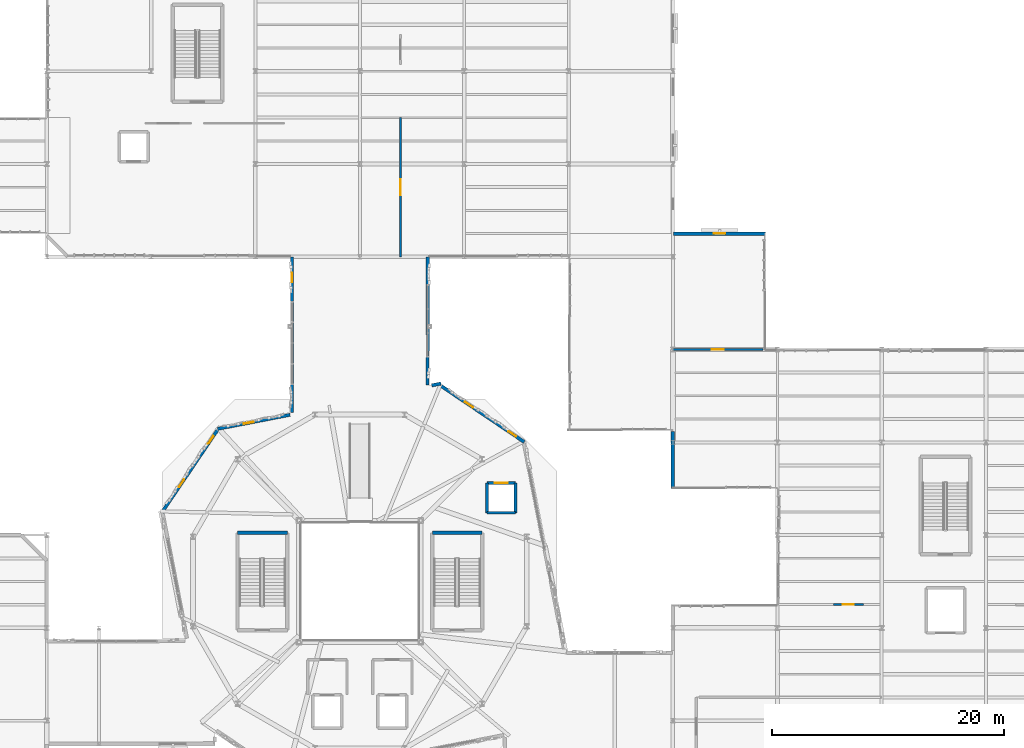
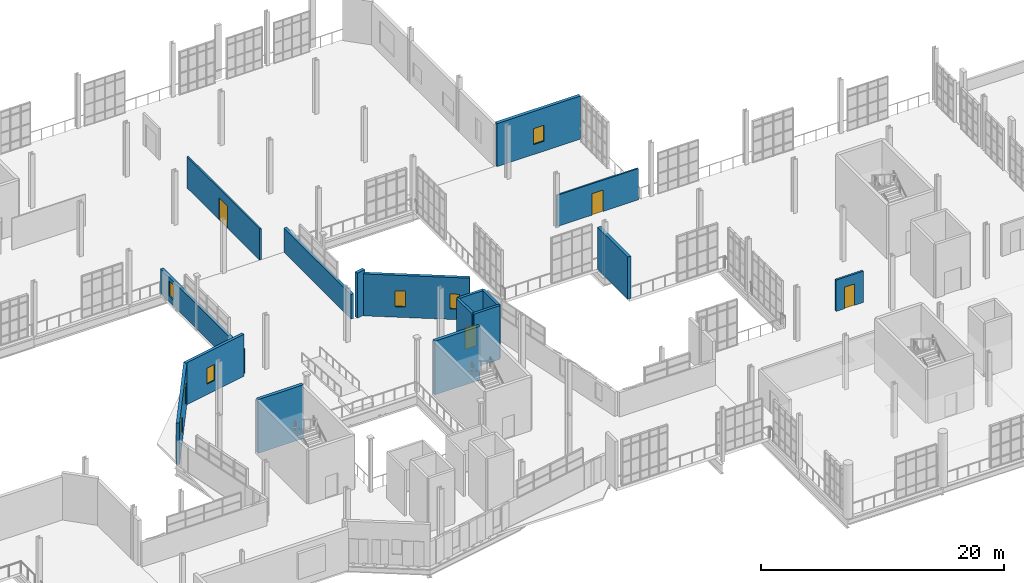
# One storey, part 124 of 142: 17 walls, 7 windows, 4 doors, 11 openings.
"""IFC4 building model written with IfcOpenShell, lengths in metres."""

from ifc_helpers import new_model, si_unit, direction, frame, frame_2d, origin, place, context, subcontext, project, spatial, rectangle, extrude, material, layer, layer_set, type_object, element, fill, save


model = new_model("IFC4")

# Units and contexts
model_context = context("Model", 3, precision=1e-05, world=origin(), true_north=direction((0.0, 1.0)))
body_context = subcontext(model_context, "Body", "Model", "MODEL_VIEW")
ifc_project = project(units=[si_unit("LENGTHUNIT", "METRE"), si_unit("AREAUNIT", "SQUARE_METRE"), si_unit("VOLUMEUNIT", "CUBIC_METRE"), si_unit("PLANEANGLEUNIT", "RADIAN"), si_unit("MASSUNIT", "GRAM", prefix="KILO"), si_unit("THERMODYNAMICTEMPERATUREUNIT", "KELVIN"), si_unit("POWERUNIT", "WATT")], contexts=[model_context])

# Site, building, storey
site_placement = place(None, origin())
site = spatial("IfcSite", under=ifc_project, at=site_placement, CompositionType="ELEMENT")
building_placement = place(site_placement, origin())
building = spatial("IfcBuilding", under=site, at=building_placement, Name="Zelmaris Science Centre", CompositionType="ELEMENT")
storey_placement = place(building_placement, frame((0.0, 0.0, 5.39990234375)))
storey = spatial("IfcBuildingStorey", under=building, at=storey_placement, Name="L01", CompositionType="ELEMENT", Elevation=5.39990234375)

# Walls
ifc_material_1 = material(Name="Concrete C40/50", Category="concrete")
ifc_layer_1 = layer(ifc_material_1, 0.300048828125, Name="Concrete C40/50")
ifc_layer_set_1 = layer_set([ifc_layer_1], Name="Concrete C40/50")
wall_type_1 = type_object("IfcWallType", Name="Core Shear Wall CW-S1 300mm", PredefinedType="SOLIDWALL", material=ifc_layer_set_1)
for number, where, z_axis, x_axis, name in (
    (1, (74.75, 40.199951171875, 0.0), (0.0, 0.0, 1.0), (-1.0, 0.0, 0.0), "L01 ST-1 core shear wall far"),
    (2, (91.550048828125, 40.199951171875, 0.0), (0.0, 0.0, 1.0), (-1.0, 0.0, 0.0), "L01 ST-2 core shear wall far"),
):
    element("IfcWall", number, at=place(storey_placement, frame(where, z_axis=z_axis, x_axis=x_axis)), inside=storey, type_object=wall_type_1, Name=name, PredefinedType="SOLIDWALL", context=body_context, shape_type="SweptSolid", body=[
        extrude(rectangle(XDim=4.300048828125, YDim=0.300048828125, at=frame_2d((2.14990234375, 0.0))), origin(), (0.0, 0.0, 1.0), 5.400146484375),
    ])
ifc_layer_2 = layer(ifc_material_1, 0.25, Name="Concrete C40/50")
ifc_layer_set_2 = layer_set([ifc_layer_2], Name="Concrete C40/50")
wall_type_2 = type_object("IfcWallType", Name="Core Shear Wall CW-S2 250mm", PredefinedType="SOLIDWALL", material=ifc_layer_set_2)
wall_1_placement = place(storey_placement, frame((91.97509765625, 41.925048828125, 0.0), z_axis=(0.0, 0.0, 1.0), x_axis=(1.0, 0.0, 0.0)))
element("IfcWall", 3, at=wall_1_placement, inside=storey, type_object=wall_type_2, Name="L01 LP-01 lift shaft wall -y", PredefinedType="SOLIDWALL", context=body_context, shape_type="SweptSolid", body=[
    extrude(rectangle(XDim=2.449951171875, YDim=0.25, at=frame_2d((1.22509765625, 0.0))), origin(), (0.0, 0.0, 1.0), 5.400146484375),
])
wall_2_placement = place(storey_placement, frame((94.425048828125, 41.925048828125, 0.0), z_axis=(0.0, 0.0, 1.0), x_axis=(0.0, 1.0, 0.0)))
element("IfcWall", 4, at=wall_2_placement, inside=storey, type_object=wall_type_2, Name="L01 LP-01 lift shaft wall +x", PredefinedType="SOLIDWALL", context=body_context, shape_type="SweptSolid", body=[
    extrude(rectangle(XDim=2.550048828125, YDim=0.25, at=frame_2d((1.27490234375, 0.0))), origin(), (0.0, 0.0, 1.0), 5.400146484375),
])

# Wall, opening, door
wall_3_placement = place(storey_placement, frame((94.425048828125, 44.47509765625, 0.0), z_axis=(0.0, 0.0, 1.0), x_axis=(-1.0, 0.0, 0.0)))
wall_3 = element("IfcWall", 5, at=wall_3_placement, inside=storey, type_object=wall_type_2, Name="L01 LP-01 lift shaft wall +y", PredefinedType="SOLIDWALL", context=body_context, shape_type="SweptSolid", body=[
    extrude(rectangle(XDim=2.449951171875, YDim=0.25, at=frame_2d((1.22509765625, 0.0))), origin(), (0.0, 0.0, 1.0), 5.400146484375),
])
opening_1_placement = place(wall_3_placement, frame((0.675048828125, 0.0, 0.0)))
opening_1 = element("IfcOpeningElement", 6, at=opening_1_placement, cuts=wall_3, Name="Opening LD-01", PredefinedType="OPENING", context=body_context, shape_type="SweptSolid", body=[
    extrude(rectangle(XDim=1.10009765625, YDim=2.199951171875, at=frame_2d((0.550048828125, 1.10009765625))), frame((0.0, 0.135009765625, 0.0), z_axis=(0.0, -1.0, 0.0), x_axis=(1.0, 0.0, 0.0)), (0.0, 0.0, 1.0), 0.27001953125),
])
ifc_material_2 = material(Name="Steel ASTM A36", Category="steel")
door_type_1 = type_object("IfcDoorType", Name="Interior Door LD-01 1100x2200", OperationType="SLIDING_TO_LEFT", PredefinedType="DOOR", material=ifc_material_2)
door_1_placement = place(opening_1_placement, origin())
door_1 = element("IfcDoor", 7, at=door_1_placement, inside=storey, type_object=door_type_1, Name="Landing door LD-LP-01-L01", OperationType="SLIDING_TO_LEFT", OverallHeight=2.199951171875, OverallWidth=1.10009765625, PredefinedType="DOOR", context=body_context, shape_type="SweptSolid", body=[
    extrude(rectangle(XDim=1.10009765625, YDim=2.199951171875, at=frame_2d((0.550048828125, 1.10009765625))), frame((0.0, 0.02490234375, 0.0), z_axis=(0.0, -1.0, 0.0), x_axis=(1.0, 0.0, 0.0)), (0.0, 0.0, 1.0), 0.050048828125),
])
fill(opening_1, door_1)

# Wall
wall_4_placement = place(storey_placement, frame((91.97509765625, 44.47509765625, 0.0), z_axis=(0.0, 0.0, 1.0), x_axis=(0.0, -1.0, 0.0)))
element("IfcWall", 8, at=wall_4_placement, inside=storey, type_object=wall_type_2, Name="L01 LP-01 lift shaft wall -x", PredefinedType="SOLIDWALL", context=body_context, shape_type="SweptSolid", body=[
    extrude(rectangle(XDim=2.550048828125, YDim=0.25, at=frame_2d((1.27490234375, 0.0))), origin(), (0.0, 0.0, 1.0), 5.400146484375),
])

# Wall, opening, window
ifc_material_3 = material(Name="Precast concrete C40/50", Category="concrete")
ifc_layer_3 = layer(ifc_material_3, 0.300048828125, Name="Precast concrete C40/50")
ifc_layer_set_3 = layer_set([ifc_layer_3], Name="Precast concrete C40/50")
wall_type_3 = type_object("IfcWallType", Name="Exterior Wall EW-04 300mm", PredefinedType="SOLIDWALL", material=ifc_layer_set_3)
wall_5_placement = place(storey_placement, frame((108.06005859375, 66.0, 0.0), z_axis=(0.0, 0.0, 1.0), x_axis=(1.0, 0.0, 0.0)))
wall_5 = element("IfcWall", 9, at=wall_5_placement, inside=storey, type_object=wall_type_3, Name="L01 Exterior wall 46", PredefinedType="SOLIDWALL", context=body_context, shape_type="SweptSolid", body=[
    extrude(rectangle(XDim=7.93994140625, YDim=0.300048828125, at=frame_2d((3.969970703125, 0.0))), origin(), (0.0, 0.0, 1.0), 4.328125),
])
opening_2_placement = place(wall_5_placement, frame((3.469970703125, 0.0, 1.0)))
opening_2 = element("IfcOpeningElement", 10, at=opening_2_placement, cuts=wall_5, Name="Opening W-13", PredefinedType="OPENING", context=body_context, shape_type="SweptSolid", body=[
    extrude(rectangle(XDim=1.0, YDim=1.60009765625, at=frame_2d((0.5, 0.800048828125))), frame((0.0, 0.159912109375, 0.0), z_axis=(0.0, -1.0, 0.0), x_axis=(1.0, 0.0, 0.0)), (0.0, 0.0, 1.0), 0.320068359375),
])
ifc_material_4 = material(Name="Laminated hurricane-rated low-E insulated glazing", Category="glass")
window_type_1 = type_object("IfcWindowType", Name="Window W-13 1000x1600", PartitioningType="SINGLE_PANEL", PredefinedType="WINDOW", material=ifc_material_4)
window_1_placement = place(opening_2_placement, origin())
window_1 = element("IfcWindow", 11, at=window_1_placement, inside=storey, type_object=window_type_1, Name="L01 Facade window 13", OverallHeight=1.60009765625, OverallWidth=1.0, PartitioningType="SINGLE_PANEL", PredefinedType="WINDOW", context=body_context, shape_type="SweptSolid", body=[
    extrude(rectangle(XDim=1.0, YDim=1.60009765625, at=frame_2d((0.5, 0.800048828125))), frame((0.0, 0.030029296875, 0.0), z_axis=(0.0, -1.0, 0.0), x_axis=(1.0, 0.0, 0.0)), (0.0, 0.0, 1.0), 0.06005859375),
])
fill(opening_2, window_1)

# Wall
wall_6_placement = place(storey_placement, frame((108.0, 44.0, 0.0), z_axis=(0.0, 0.0, 1.0), x_axis=(0.0, 1.0, 0.0)))
element("IfcWall", 12, at=wall_6_placement, inside=storey, type_object=wall_type_3, Name="L01 Exterior wall 60", PredefinedType="SOLIDWALL", context=body_context, shape_type="SweptSolid", body=[
    extrude(rectangle(XDim=4.93994140625, YDim=0.300048828125, at=frame_2d((2.469970703125, 0.0))), origin(), (0.0, 0.0, 1.0), 4.24609375),
])

# Wall, openings, windows
ifc_layer_4 = layer(ifc_material_3, 0.280029296875, Name="Precast concrete C40/50")
ifc_layer_set_4 = layer_set([ifc_layer_4], Name="Precast concrete C40/50")
wall_type_4 = type_object("IfcWallType", Name="Exterior Wall EW-05 280mm", PredefinedType="SOLIDWALL", material=ifc_layer_set_4)
wall_7_placement = place(storey_placement, frame((87.902099609375, 52.9326171875, 0.0), z_axis=(0.0, 0.0, 1.0), x_axis=(0.829056819459, -0.559164367703, 0.0)))
wall_7 = element("IfcWall", 13, at=wall_7_placement, inside=storey, type_object=wall_type_4, Name="L01 Exterior wall 56", PredefinedType="SOLIDWALL", context=body_context, shape_type="SweptSolid", body=[
    extrude(rectangle(XDim=8.76806640625, YDim=0.280029296875, at=frame_2d((4.384033203125, 0.0))), origin(), (0.0, 0.0, 1.0), 4.214111328125),
])
opening_3_placement = place(wall_7_placement, frame((2.60888671875, 0.0, 1.050048828125)))
opening_3 = element("IfcOpeningElement", 14, at=opening_3_placement, cuts=wall_7, Name="Opening W-TR3", PredefinedType="OPENING", context=body_context, shape_type="SweptSolid", body=[
    extrude(rectangle(XDim=0.85009765625, YDim=1.60009765625, at=frame_2d((0.425048828125, 0.800048828125))), frame((0.0, 0.14990234375, 0.0), z_axis=(0.0, -1.0, 0.0), x_axis=(1.0, 0.0, 0.0)), (0.0, 0.0, 1.0), 0.300048828125),
])
opening_4_placement = place(wall_7_placement, frame((7.134033203125, 0.0, 1.050048828125)))
opening_4 = element("IfcOpeningElement", 15, at=opening_4_placement, cuts=wall_7, Name="Opening W-TR1", PredefinedType="OPENING", context=body_context, shape_type="SweptSolid", body=[
    extrude(rectangle(XDim=0.800048828125, YDim=1.5, at=frame_2d((0.39990234375, 0.75))), frame((0.0, 0.14990234375, 0.0), z_axis=(0.0, -1.0, 0.0), x_axis=(1.0, 0.0, 0.0)), (0.0, 0.0, 1.0), 0.300048828125),
])
window_type_2 = type_object("IfcWindowType", Name="Window W-TR1 800x1500", PartitioningType="SINGLE_PANEL", PredefinedType="WINDOW", material=ifc_material_4)
window_2_placement = place(opening_4_placement, origin())
window_2 = element("IfcWindow", 16, at=window_2_placement, inside=storey, type_object=window_type_2, Name="L01 Triangular faceted window 19", OverallHeight=1.5, OverallWidth=0.800048828125, PartitioningType="SINGLE_PANEL", PredefinedType="WINDOW", context=body_context, shape_type="SweptSolid", body=[
    extrude(rectangle(XDim=0.800048828125, YDim=1.5, at=frame_2d((0.39990234375, 0.75))), frame((0.0, 0.030029296875, 0.0), z_axis=(0.0, -1.0, 0.0), x_axis=(1.0, 0.0, 0.0)), (0.0, 0.0, 1.0), 0.06005859375),
])
fill(opening_4, window_2)
window_type_3 = type_object("IfcWindowType", Name="Window W-TR3 850x1600", PartitioningType="SINGLE_PANEL", PredefinedType="WINDOW", material=ifc_material_4)
window_3_placement = place(opening_3_placement, origin())
window_3 = element("IfcWindow", 17, at=window_3_placement, inside=storey, type_object=window_type_3, Name="L01 Triangular faceted window 18", OverallHeight=1.60009765625, OverallWidth=0.85009765625, PartitioningType="SINGLE_PANEL", PredefinedType="WINDOW", context=body_context, shape_type="SweptSolid", body=[
    extrude(rectangle(XDim=0.85009765625, YDim=1.60009765625, at=frame_2d((0.425048828125, 0.800048828125))), frame((0.0, 0.030029296875, 0.0), z_axis=(0.0, -1.0, 0.0), x_axis=(1.0, 0.0, 0.0)), (0.0, 0.0, 1.0), 0.06005859375),
])
fill(opening_3, window_3)

# Wall
wall_8_placement = place(storey_placement, frame((86.857666015625, 63.982666015625, 0.0), z_axis=(0.0, 0.0, 1.0), x_axis=(-0.001569683245, -0.999998768046, 0.0)))
element("IfcWall", 18, at=wall_8_placement, inside=storey, type_object=wall_type_4, Name="L01 Exterior wall 61", PredefinedType="SOLIDWALL", context=body_context, shape_type="SweptSolid", body=[
    extrude(rectangle(XDim=11.04296875, YDim=0.280029296875, at=frame_2d((5.521484375, 0.0))), origin(), (0.0, 0.0, 1.0), 2.4501953125),
])

# Wall, openings, windows
wall_9_placement = place(storey_placement, frame((63.932373046875, 41.95751953125, 0.0), z_axis=(0.0, 0.0, 1.0), x_axis=(0.559196413649, 0.829035204899, 0.0)))
wall_9 = element("IfcWall", 19, at=wall_9_placement, inside=storey, type_object=wall_type_4, Name="L01 Exterior wall 70", PredefinedType="SOLIDWALL", context=body_context, shape_type="SweptSolid", body=[
    extrude(rectangle(XDim=8.76806640625, YDim=0.280029296875, at=frame_2d((4.384033203125, 0.0))), origin(), (0.0, 0.0, 1.0), 4.2041015625),
])
opening_5_placement = place(wall_9_placement, frame((2.634033203125, 0.0, 1.050048828125)))
opening_5 = element("IfcOpeningElement", 20, at=opening_5_placement, cuts=wall_9, Name="Opening W-TR1", PredefinedType="OPENING", context=body_context, shape_type="SweptSolid", body=[
    extrude(rectangle(XDim=0.800048828125, YDim=1.5, at=frame_2d((0.39990234375, 0.75))), frame((0.0, 0.14990234375, 0.0), z_axis=(0.0, -1.0, 0.0), x_axis=(1.0, 0.0, 0.0)), (0.0, 0.0, 1.0), 0.300048828125),
])
opening_6_placement = place(wall_9_placement, frame((7.134033203125, 0.0, 1.050048828125)))
opening_6 = element("IfcOpeningElement", 21, at=opening_6_placement, cuts=wall_9, Name="Opening W-TR2", PredefinedType="OPENING", context=body_context, shape_type="SweptSolid", body=[
    extrude(rectangle(XDim=0.800048828125, YDim=1.699951171875, at=frame_2d((0.39990234375, 0.85009765625))), frame((0.0, 0.14990234375, 0.0), z_axis=(0.0, -1.0, 0.0), x_axis=(1.0, 0.0, 0.0)), (0.0, 0.0, 1.0), 0.300048828125),
])
window_4_placement = place(opening_5_placement, origin())
window_4 = element("IfcWindow", 22, at=window_4_placement, inside=storey, type_object=window_type_2, Name="L01 Triangular faceted window 25", OverallHeight=1.5, OverallWidth=0.800048828125, PartitioningType="SINGLE_PANEL", PredefinedType="WINDOW", context=body_context, shape_type="SweptSolid", body=[
    extrude(rectangle(XDim=0.800048828125, YDim=1.5, at=frame_2d((0.39990234375, 0.75))), frame((0.0, 0.030029296875, 0.0), z_axis=(0.0, -1.0, 0.0), x_axis=(1.0, 0.0, 0.0)), (0.0, 0.0, 1.0), 0.06005859375),
])
fill(opening_5, window_4)
window_type_4 = type_object("IfcWindowType", Name="Window W-TR2 800x1700", PartitioningType="SINGLE_PANEL", PredefinedType="WINDOW", material=ifc_material_4)
window_5_placement = place(opening_6_placement, origin())
window_5 = element("IfcWindow", 23, at=window_5_placement, inside=storey, type_object=window_type_4, Name="L01 Triangular faceted window 26", OverallHeight=1.699951171875, OverallWidth=0.800048828125, PartitioningType="SINGLE_PANEL", PredefinedType="WINDOW", context=body_context, shape_type="SweptSolid", body=[
    extrude(rectangle(XDim=0.800048828125, YDim=1.699951171875, at=frame_2d((0.39990234375, 0.85009765625))), frame((0.0, 0.030029296875, 0.0), z_axis=(0.0, -1.0, 0.0), x_axis=(1.0, 0.0, 0.0)), (0.0, 0.0, 1.0), 0.06005859375),
])
fill(opening_6, window_5)

# Wall, opening, window
wall_10_placement = place(storey_placement, frame((68.7333984375, 49.158935546875, 0.0), z_axis=(0.0, 0.0, 1.0), x_axis=(0.98162696529, 0.190810117696, 0.0)))
wall_10 = element("IfcWall", 24, at=wall_10_placement, inside=storey, type_object=wall_type_4, Name="L01 Exterior wall 71", PredefinedType="SOLIDWALL", context=body_context, shape_type="SweptSolid", body=[
    extrude(rectangle(XDim=6.365478515625, YDim=0.280029296875, at=frame_2d((3.1826171875, 0.0))), origin(), (0.0, 0.0, 1.0), 4.208984375),
])
opening_7_placement = place(wall_10_placement, frame((2.307861328125, 0.0, 1.050048828125)))
opening_7 = element("IfcOpeningElement", 25, at=opening_7_placement, cuts=wall_10, Name="Opening W-TR3", PredefinedType="OPENING", context=body_context, shape_type="SweptSolid", body=[
    extrude(rectangle(XDim=0.85009765625, YDim=1.60009765625, at=frame_2d((0.425048828125, 0.800048828125))), frame((0.0, 0.14990234375, 0.0), z_axis=(0.0, -1.0, 0.0), x_axis=(1.0, 0.0, 0.0)), (0.0, 0.0, 1.0), 0.300048828125),
])
window_6_placement = place(opening_7_placement, origin())
window_6 = element("IfcWindow", 26, at=window_6_placement, inside=storey, type_object=window_type_3, Name="L01 Triangular faceted window 27", OverallHeight=1.60009765625, OverallWidth=0.85009765625, PartitioningType="SINGLE_PANEL", PredefinedType="WINDOW", context=body_context, shape_type="SweptSolid", body=[
    extrude(rectangle(XDim=0.85009765625, YDim=1.60009765625, at=frame_2d((0.425048828125, 0.800048828125))), frame((0.0, 0.030029296875, 0.0), z_axis=(0.0, -1.0, 0.0), x_axis=(1.0, 0.0, 0.0)), (0.0, 0.0, 1.0), 0.06005859375),
])
fill(opening_7, window_6)

wall_11_placement = place(storey_placement, frame((75.15283203125, 50.561279296875, 0.0), z_axis=(0.0, 0.0, 1.0), x_axis=(-0.000782187704, 0.999999694091, 0.0)))
wall_11 = element("IfcWall", 27, at=wall_11_placement, inside=storey, type_object=wall_type_4, Name="L01 Exterior wall 72", PredefinedType="SOLIDWALL", context=body_context, shape_type="SweptSolid", body=[
    extrude(rectangle(XDim=13.42138671875, YDim=0.280029296875, at=frame_2d((6.710693359375, 0.0))), origin(), (0.0, 0.0, 1.0), 2.4501953125),
])
opening_8_placement = place(wall_11_placement, frame((11.260498046875, 0.0, 0.60009765625)))
opening_8 = element("IfcOpeningElement", 28, at=opening_8_placement, cuts=wall_11, Name="Opening W-TR1", PredefinedType="OPENING", context=body_context, shape_type="SweptSolid", body=[
    extrude(rectangle(XDim=0.800048828125, YDim=1.5, at=frame_2d((0.39990234375, 0.75))), frame((0.0, 0.14990234375, 0.0), z_axis=(0.0, -1.0, 0.0), x_axis=(1.0, 0.0, 0.0)), (0.0, 0.0, 1.0), 0.300048828125),
])
window_7_placement = place(opening_8_placement, origin())
window_7 = element("IfcWindow", 29, at=window_7_placement, inside=storey, type_object=window_type_2, Name="L01 Triangular faceted window 28", OverallHeight=1.5, OverallWidth=0.800048828125, PartitioningType="SINGLE_PANEL", PredefinedType="WINDOW", context=body_context, shape_type="SweptSolid", body=[
    extrude(rectangle(XDim=0.800048828125, YDim=1.5, at=frame_2d((0.39990234375, 0.75))), frame((0.0, 0.030029296875, 0.0), z_axis=(0.0, -1.0, 0.0), x_axis=(1.0, 0.0, 0.0)), (0.0, 0.0, 1.0), 0.06005859375),
])
fill(opening_8, window_7)

# Wall
ifc_layer_5 = layer(ifc_material_3, 0.2900390625, Name="Precast concrete C40/50")
ifc_layer_set_5 = layer_set([ifc_layer_5], Name="Precast concrete C40/50")
wall_type_5 = type_object("IfcWallType", Name="Exterior Wall EW-09 290mm", PredefinedType="SOLIDWALL", material=ifc_layer_set_5)
wall_12_placement = place(storey_placement, frame((87.1982421875, 52.911376953125, 0.0), z_axis=(0.0, 0.0, 1.0), x_axis=(0.981725274071, 0.190303668512, 0.0)))
element("IfcWall", 30, at=wall_12_placement, inside=storey, type_object=wall_type_5, Name="L01 Exterior wall 62", PredefinedType="SOLIDWALL", context=body_context, shape_type="SweptSolid", body=[
    extrude(rectangle(XDim=0.80810546875, YDim=0.2900390625, at=frame_2d((0.404052734375, 0.0))), origin(), (0.0, 0.0, 1.0), 4.527099609375),
])

# Wall, opening, door
ifc_material_5 = material(Name="Fire-rated gypsum board on steel studs", Category="steel")
ifc_layer_6 = layer(ifc_material_5, 0.14990234375, Name="Fire-rated gypsum board on steel studs")
ifc_layer_set_6 = layer_set([ifc_layer_6], Name="Fire-rated gypsum board on steel studs")
wall_type_6 = type_object("IfcWallType", Name="Interior Wall PT-01 150mm", PredefinedType="PARTITIONING", material=ifc_layer_set_6)
wall_13_placement = place(storey_placement, frame((108.0, 56.0, 0.0), z_axis=(0.0, 0.0, 1.0), x_axis=(1.0, 0.0, 0.0)))
wall_13 = element("IfcWall", 31, at=wall_13_placement, inside=storey, type_object=wall_type_6, Name="L01 Optics and Photonics School Workshop partition 43", PredefinedType="PARTITIONING", context=body_context, shape_type="SweptSolid", body=[
    extrude(rectangle(XDim=7.75, YDim=0.14990234375, at=frame_2d((3.875, 0.0))), origin(), (0.0, 0.0, 1.0), 3.150146484375),
])
opening_9_placement = place(wall_13_placement, frame((3.35009765625, 0.0, 0.0)))
opening_9 = element("IfcOpeningElement", 32, at=opening_9_placement, cuts=wall_13, Name="Opening D-IN6", PredefinedType="OPENING", context=body_context, shape_type="SweptSolid", body=[
    extrude(rectangle(XDim=1.050048828125, YDim=2.14990234375, at=frame_2d((0.52490234375, 1.074951171875))), frame((0.0, 0.0849609375, 0.0), z_axis=(0.0, -1.0, 0.0), x_axis=(1.0, 0.0, 0.0)), (0.0, 0.0, 1.0), 0.169921875),
])
ifc_material_6 = material(Name="Solid tropical tzalam hardwood", Category="wood")
door_type_2 = type_object("IfcDoorType", Name="Interior Door D-IN6 1050x2150", OperationType="NOTDEFINED", PredefinedType="DOOR", material=ifc_material_6)
door_2_placement = place(opening_9_placement, origin())
door_2 = element("IfcDoor", 33, at=door_2_placement, inside=storey, type_object=door_type_2, Name="L01 Optics and Photonics School Workshop door", OperationType="SINGLE_SWING_RIGHT", OverallHeight=2.14990234375, OverallWidth=1.050048828125, PredefinedType="DOOR", context=body_context, shape_type="SweptSolid", body=[
    extrude(rectangle(XDim=1.050048828125, YDim=2.14990234375, at=frame_2d((0.52490234375, 1.074951171875))), frame((0.0, 0.02490234375, 0.0), z_axis=(0.0, -1.0, 0.0), x_axis=(1.0, 0.0, 0.0)), (0.0, 0.0, 1.0), 0.050048828125),
])
fill(opening_9, door_2)

wall_14_placement = place(storey_placement, frame((84.5048828125, 64.0, 0.0), z_axis=(0.0, 0.0, 1.0), x_axis=(0.0, 1.0, 0.0)))
wall_14 = element("IfcWall", 34, at=wall_14_placement, inside=storey, type_object=wall_type_6, Name="L01 Digital Cartography Seminar Studio partition 46", PredefinedType="PARTITIONING", context=body_context, shape_type="SweptSolid", body=[
    extrude(rectangle(XDim=12.0, YDim=0.14990234375, at=frame_2d((6.0, 0.0))), origin(), (0.0, 0.0, 1.0), 3.150146484375),
])
opening_10_placement = place(wall_14_placement, frame((5.324951171875, 0.0, 0.0)))
opening_10 = element("IfcOpeningElement", 35, at=opening_10_placement, cuts=wall_14, Name="Opening D-IN7", PredefinedType="OPENING", context=body_context, shape_type="SweptSolid", body=[
    extrude(rectangle(XDim=1.35009765625, YDim=2.199951171875, at=frame_2d((0.675048828125, 1.10009765625))), frame((0.0, 0.0849609375, 0.0), z_axis=(0.0, -1.0, 0.0), x_axis=(1.0, 0.0, 0.0)), (0.0, 0.0, 1.0), 0.169921875),
])
door_type_3 = type_object("IfcDoorType", Name="Interior Door D-IN7 1350x2200", OperationType="NOTDEFINED", PredefinedType="DOOR", material=ifc_material_6)
door_3_placement = place(opening_10_placement, origin())
door_3 = element("IfcDoor", 36, at=door_3_placement, inside=storey, type_object=door_type_3, Name="L01 Digital Cartography Seminar Studio door", OperationType="SINGLE_SWING_RIGHT", OverallHeight=2.199951171875, OverallWidth=1.35009765625, PredefinedType="DOOR", context=body_context, shape_type="SweptSolid", body=[
    extrude(rectangle(XDim=1.35009765625, YDim=2.199951171875, at=frame_2d((0.675048828125, 1.10009765625))), frame((0.0, 0.02490234375, 0.0), z_axis=(0.0, -1.0, 0.0), x_axis=(1.0, 0.0, 0.0)), (0.0, 0.0, 1.0), 0.050048828125),
])
fill(opening_10, door_3)

ifc_material_7 = material(Name="Autoclaved aerated concrete blockwork", Category="masonry")
ifc_layer_7 = layer(ifc_material_7, 0.179931640625, Name="Autoclaved aerated concrete blockwork")
ifc_layer_set_7 = layer_set([ifc_layer_7], Name="Autoclaved aerated concrete blockwork")
wall_type_7 = type_object("IfcWallType", Name="Interior Wall PT-04 180mm", PredefinedType="PARTITIONING", material=ifc_layer_set_7)
wall_15_placement = place(storey_placement, frame((124.425048828125, 34.0048828125, 0.0), z_axis=(0.0, 0.0, 1.0), x_axis=(-1.0, 0.0, 0.0)))
wall_15 = element("IfcWall", 37, at=wall_15_placement, inside=storey, type_object=wall_type_7, Name="L01 L01 Public WC entrance partition 47", PredefinedType="PARTITIONING", context=body_context, shape_type="SweptSolid", body=[
    extrude(rectangle(XDim=2.60009765625, YDim=0.179931640625, at=frame_2d((1.300048828125, 0.0))), origin(), (0.0, 0.0, 1.0), 3.150146484375),
])
opening_11_placement = place(wall_15_placement, frame((0.824951171875, 0.0, 0.0)))
opening_11 = element("IfcOpeningElement", 38, at=opening_11_placement, cuts=wall_15, Name="Opening D-IN2", PredefinedType="OPENING", context=body_context, shape_type="SweptSolid", body=[
    extrude(rectangle(XDim=0.949951171875, YDim=2.14990234375, at=frame_2d((0.47509765625, 1.074951171875))), frame((0.0, 0.099853515625, 0.0), z_axis=(0.0, -1.0, 0.0), x_axis=(1.0, 0.0, 0.0)), (0.0, 0.0, 1.0), 0.199951171875),
])
door_type_4 = type_object("IfcDoorType", Name="Interior Door D-IN2 950x2150", OperationType="NOTDEFINED", PredefinedType="DOOR", material=ifc_material_6)
door_4_placement = place(opening_11_placement, origin())
door_4 = element("IfcDoor", 39, at=door_4_placement, inside=storey, type_object=door_type_4, Name="L01 L01 Public WC door", OperationType="SINGLE_SWING_RIGHT", OverallHeight=2.14990234375, OverallWidth=0.949951171875, PredefinedType="DOOR", context=body_context, shape_type="SweptSolid", body=[
    extrude(rectangle(XDim=0.949951171875, YDim=2.14990234375, at=frame_2d((0.47509765625, 1.074951171875))), frame((0.0, 0.02490234375, 0.0), z_axis=(0.0, -1.0, 0.0), x_axis=(1.0, 0.0, 0.0)), (0.0, 0.0, 1.0), 0.050048828125),
])
fill(opening_11, door_4)

save(model, "model.ifc")
